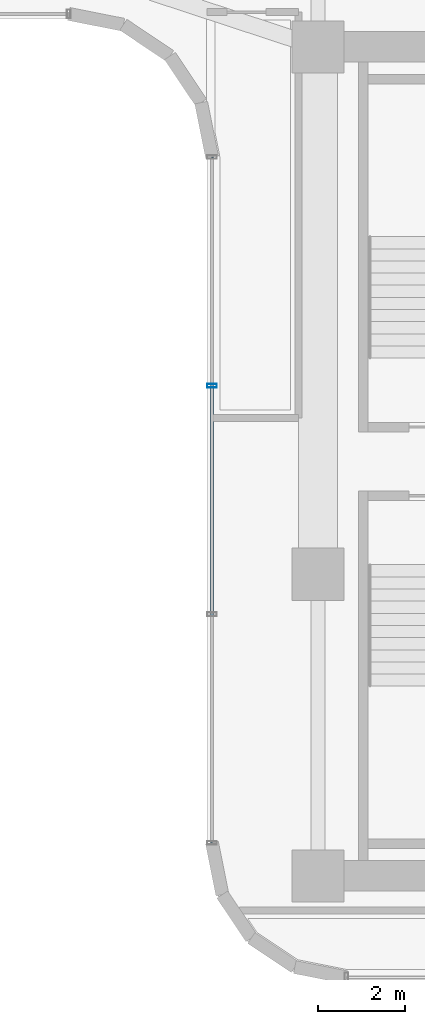
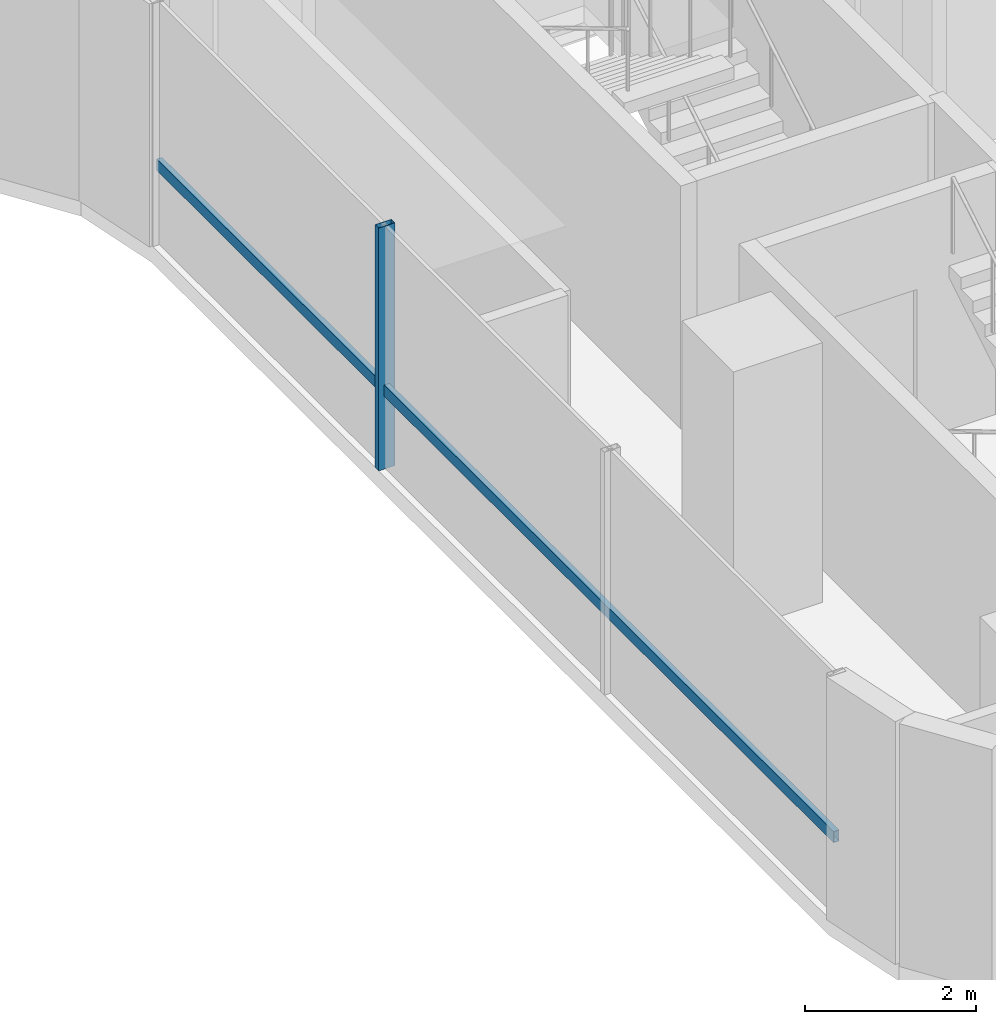
# One storey, part 13 of 34: 2 members, 1 element without a shape of its own.
"""IFC4 building model written with IfcOpenShell, lengths in metres."""

from ifc_helpers import new_model, si_unit, direction, frame, origin, origin_2d, place, context, subcontext, project, spatial, hollow_rectangle, extrude, source, transform, mapped, material, material_profile, profile_set, type_object, element, aggregate, save


model = new_model("IFC4")

# Units and contexts
model_context = context("Model", 3, precision=1e-05, world=origin(), true_north=direction((0.0, 1.0)))
body_context = subcontext(model_context, "Body", "Model", "MODEL_VIEW")
ifc_project = project(units=[si_unit("LENGTHUNIT", "METRE"), si_unit("AREAUNIT", "SQUARE_METRE"), si_unit("VOLUMEUNIT", "CUBIC_METRE"), si_unit("PLANEANGLEUNIT", "RADIAN"), si_unit("MASSUNIT", "GRAM", prefix="KILO")], contexts=[model_context])

# Site, building, storey
site_placement = place(None, origin())
site = spatial("IfcSite", under=ifc_project, at=site_placement, CompositionType="ELEMENT")
building_placement = place(site_placement, origin())
building = spatial("IfcBuilding", under=site, at=building_placement, Name="Valdorenza Pilgrim Sanctuary Tower", CompositionType="ELEMENT")
storey_placement = place(building_placement, frame((0.0, 0.0, 142.699951171875)))
storey = spatial("IfcBuildingStorey", under=building, at=storey_placement, Name="L36", CompositionType="ELEMENT", Elevation=142.699951171875)

# Curtain wall, members
ifc_material_1 = material(Name="Curtain-wall IGU glazing", Category="glass")
curtain_wall_type = type_object("IfcCurtainWallType", Name="CW-SYS-03", PredefinedType="NOTDEFINED", material=ifc_material_1)
curtain_wall_placement = place(storey_placement, origin())
curtain_wall = element("IfcCurtainWall", 1, at=curtain_wall_placement, inside=storey, type_object=curtain_wall_type, Name="L36 Curtain Wall CW-L36-1-31", PredefinedType="NOTDEFINED")
ifc_material_2 = material(Name="Anodised aluminium AW-6060", Category="aluminium")
ifc_material_profile_1 = material_profile(ifc_material_2, hollow_rectangle(XDim=0.0849609375, YDim=0.219970703125, WallThickness=0.0048828125, at=origin_2d()), Name="ALU-M 220x85x5")
ifc_profile_set_1 = profile_set([ifc_material_profile_1], Name="Anodised aluminium AW-6060")
member_type_1 = type_object("IfcMemberType", Name="CW-MUL-03", PredefinedType="MULLION", material=ifc_profile_set_1)
shared_shape_1 = source(origin(), body_context, "Body", "SweptSolid", [
    extrude(hollow_rectangle(XDim=0.0849609375, YDim=0.219970703125, WallThickness=0.0048828125, at=origin_2d()), origin(), (0.0, 0.0, 1.0), 3.4599609375),
])
member_1_placement = place(storey_placement, frame((13.409912109375, 1.744140625, 0.0), z_axis=(0.0, 0.0, 1.0), x_axis=(0.0, 1.0, 0.0)))
member_1 = element("IfcMember", 2, at=member_1_placement, type_object=member_type_1, Name="CW-L36-1-31 Mullion 3", PredefinedType="MULLION", context=body_context, shape_type="MappedRepresentation", body=[
    mapped(shared_shape_1, transform((0.0, 0.0, 0.0), x_axis=(1.0, 0.0, 0.0), y_axis=(0.0, 1.0, 0.0), z_axis=(0.0, 0.0, 1.0), scale=1.0)),
])
ifc_material_profile_2 = material_profile(ifc_material_2, hollow_rectangle(XDim=0.074951171875, YDim=0.159912109375, WallThickness=0.00390625, at=origin_2d()), Name="ALU-T 160x75x4")
ifc_profile_set_2 = profile_set([ifc_material_profile_2], Name="Anodised aluminium AW-6060")
member_type_2 = type_object("IfcMemberType", Name="CW-TRN-03", PredefinedType="USERDEFINED", material=ifc_profile_set_2)
shared_shape_2 = source(origin(), body_context, "Body", "SweptSolid", [
    extrude(hollow_rectangle(XDim=0.074951171875, YDim=0.159912109375, WallThickness=0.00390625, at=origin_2d()), origin(), (0.0, 0.0, 1.0), 15.800048828125),
])
member_2_placement = place(storey_placement, frame((13.409912109375, -8.789306640625, 1.1201171875), z_axis=(0.0, 1.0, 0.0), x_axis=(-1.0, 0.0, 0.0)))
member_2 = element("IfcMember", 3, at=member_2_placement, type_object=member_type_2, Name="CW-L36-1-31 Transom 1", ObjectType="TRANSOM", PredefinedType="USERDEFINED", context=body_context, shape_type="MappedRepresentation", body=[
    mapped(shared_shape_2, transform((0.0, 0.0, 0.0), x_axis=(1.0, 0.0, 0.0), y_axis=(0.0, 1.0, 0.0), z_axis=(0.0, 0.0, 1.0), scale=1.0)),
])
aggregate(curtain_wall, [member_1, member_2])

save(model, "model.ifc")
